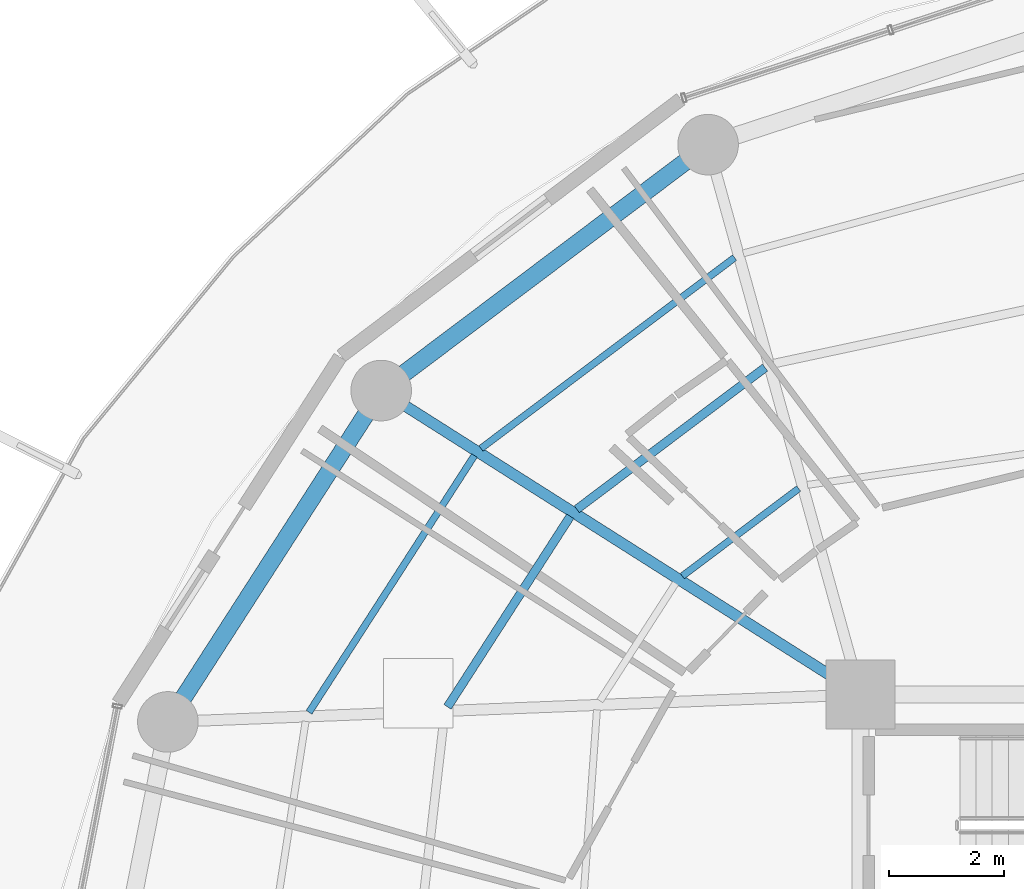
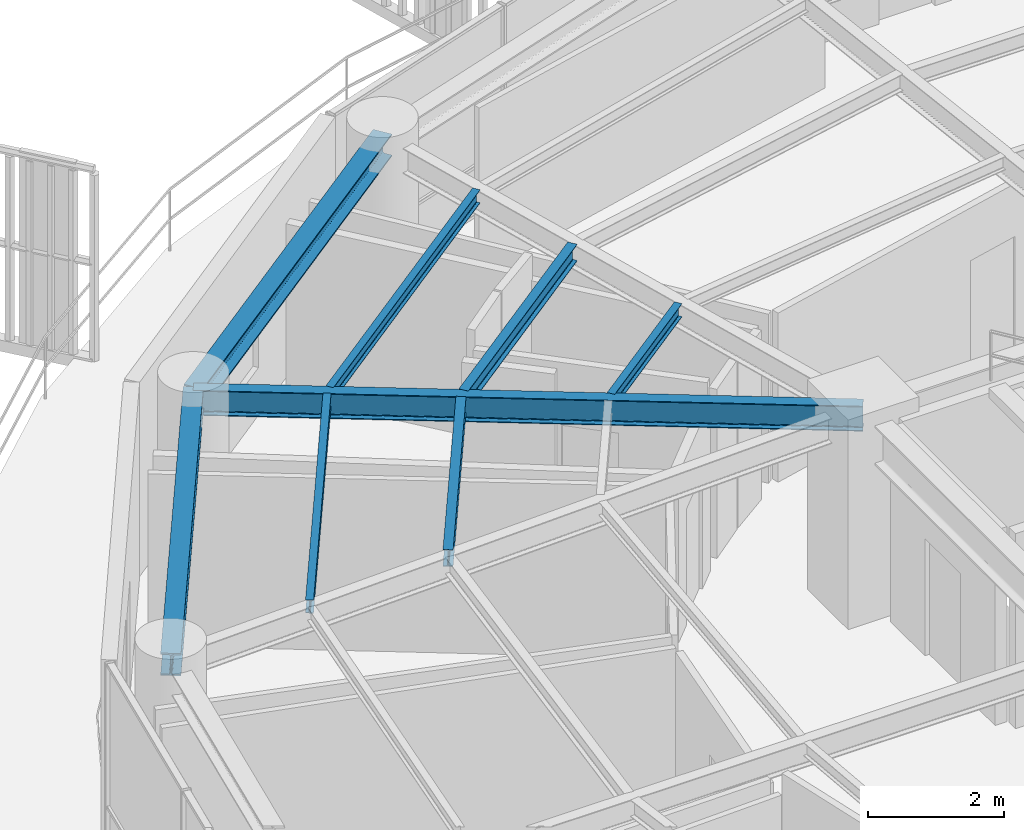
# One storey, part 16 of 30: 8 beams.
"""IFC4 building model written with IfcOpenShell, lengths in metres."""

from ifc_helpers import new_model, si_unit, direction, frame, origin, origin_2d, place, context, subcontext, project, spatial, i_section, extrude, material, material_profile, profile_set, type_object, element, save


model = new_model("IFC4")

# Units and contexts
model_context = context("Model", 3, precision=1e-05, world=origin(), true_north=direction((0.0, 1.0)))
body_context = subcontext(model_context, "Body", "Model", "MODEL_VIEW")
ifc_project = project(units=[si_unit("LENGTHUNIT", "METRE"), si_unit("AREAUNIT", "SQUARE_METRE"), si_unit("VOLUMEUNIT", "CUBIC_METRE"), si_unit("PLANEANGLEUNIT", "RADIAN"), si_unit("MASSUNIT", "GRAM", prefix="KILO")], contexts=[model_context])

# Site, building, storey
site_placement = place(None, origin())
site = spatial("IfcSite", under=ifc_project, at=site_placement, CompositionType="ELEMENT")
building_placement = place(site_placement, origin())
building = spatial("IfcBuilding", under=site, at=building_placement, Name="Kelanora Arch Commons", CompositionType="ELEMENT")
storey_placement = place(building_placement, frame((0.0, 0.0, 208.199951171875)))
storey = spatial("IfcBuildingStorey", under=building, at=storey_placement, Name="L53", CompositionType="ELEMENT", Elevation=208.199951171875)

# Beams
ifc_material = material(Name="Steel S355", Category="steel")
ifc_material_profile_1 = material_profile(ifc_material, i_section(OverallWidth=0.14990234375, OverallDepth=0.300048828125, WebThickness=0.007080078125, FlangeThickness=0.0107421875, FilletRadius=0.014892578125, at=origin_2d()), Name="IPE300")
ifc_profile_set_1 = profile_set([ifc_material_profile_1], Name="Steel S355")
beam_type_1 = type_object("IfcBeamType", Name="BM-JST-01", PredefinedType="JOIST", material=ifc_profile_set_1)
beam_1_placement = place(storey_placement, frame((64.34814453125, 70.6630859375, 3.340087890625), z_axis=(-0.799101708656, -0.601195857624, 0.0), x_axis=(0.601195857624, -0.799101708656, 0.0)))
element("IfcBeam", 1, at=beam_1_placement, inside=storey, type_object=beam_type_1, Name="Secondary Chord Joist BJB-12 L53", PredefinedType="JOIST", context=body_context, shape_type="SweptSolid", body=[
    extrude(i_section(OverallWidth=0.14990234375, OverallDepth=0.300048828125, WebThickness=0.007080078125, FlangeThickness=0.0107421875, FilletRadius=0.014892578125, at=origin_2d()), origin(), (0.0, 0.0, 1.0), 4.080810546875),
])
beam_2_placement = place(storey_placement, frame((60.97314453125, 68.087158203125, 3.340087890625), z_axis=(-0.541411265892, -0.840757896879, 0.0), x_axis=(0.840757896879, -0.541411265892, 0.0)))
element("IfcBeam", 2, at=beam_2_placement, inside=storey, type_object=beam_type_1, Name="Secondary Chord Joist BJB-14 L53", PredefinedType="JOIST", context=body_context, shape_type="SweptSolid", body=[
    extrude(i_section(OverallWidth=0.14990234375, OverallDepth=0.300048828125, WebThickness=0.007080078125, FlangeThickness=0.0107421875, FilletRadius=0.014892578125, at=origin_2d()), origin(), (0.0, 0.0, 1.0), 3.92529296875),
])
ifc_material_profile_2 = material_profile(ifc_material, i_section(OverallWidth=0.1201171875, OverallDepth=0.239990234375, WebThickness=0.006103515625, FlangeThickness=0.009765625, FilletRadius=0.014892578125, at=origin_2d()), Name="IPE240")
ifc_profile_set_2 = profile_set([ifc_material_profile_2], Name="Steel S355")
beam_type_2 = type_object("IfcBeamType", Name="BM-JST-02", PredefinedType="JOIST", material=ifc_profile_set_2)
beam_3_placement = place(storey_placement, frame((64.928955078125, 68.56787109375, 3.3701171875), z_axis=(-0.79911638933, -0.601176343766, 0.0), x_axis=(0.601176343766, -0.79911638933, 0.0)))
element("IfcBeam", 3, at=beam_3_placement, inside=storey, type_object=beam_type_2, Name="Secondary Chord Joist BJA-12 L53", PredefinedType="JOIST", context=body_context, shape_type="SweptSolid", body=[
    extrude(i_section(OverallWidth=0.1201171875, OverallDepth=0.239990234375, WebThickness=0.006103515625, FlangeThickness=0.009765625, FilletRadius=0.014892578125, at=origin_2d()), origin(), (0.0, 0.0, 1.0), 2.522216796875),
])
beam_4_placement = place(storey_placement, frame((63.820068359375, 72.56787109375, 3.3701171875), z_axis=(-0.799109197935, -0.601185902842, 0.0), x_axis=(0.601185902842, -0.799109197935, 0.0)))
element("IfcBeam", 4, at=beam_4_placement, inside=storey, type_object=beam_type_2, Name="Secondary Chord Joist BJC-12 L53", PredefinedType="JOIST", context=body_context, shape_type="SweptSolid", body=[
    extrude(i_section(OverallWidth=0.1201171875, OverallDepth=0.239990234375, WebThickness=0.006103515625, FlangeThickness=0.009765625, FilletRadius=0.014892578125, at=origin_2d()), origin(), (0.0, 0.0, 1.0), 5.497802734375),
])
beam_5_placement = place(storey_placement, frame((59.31298828125, 69.14013671875, 3.3701171875), z_axis=(-0.541382492679, -0.840776424872, 0.0), x_axis=(0.840776424872, -0.541382492679, 0.0)))
element("IfcBeam", 5, at=beam_5_placement, inside=storey, type_object=beam_type_2, Name="Secondary Chord Joist BJC-14 L53", PredefinedType="JOIST", context=body_context, shape_type="SweptSolid", body=[
    extrude(i_section(OverallWidth=0.1201171875, OverallDepth=0.239990234375, WebThickness=0.006103515625, FlangeThickness=0.009765625, FilletRadius=0.014892578125, at=origin_2d()), origin(), (0.0, 0.0, 1.0), 5.29052734375),
])
ifc_material_profile_3 = material_profile(ifc_material, i_section(OverallWidth=0.18994140625, OverallDepth=0.449951171875, WebThickness=0.009521484375, FlangeThickness=0.0146484375, FilletRadius=0.02099609375, at=origin_2d()), Name="IPE450")
ifc_profile_set_3 = profile_set([ifc_material_profile_3], Name="Steel S355")
beam_type_3 = type_object("IfcBeamType", Name="BM-RAD-Z4", PredefinedType="BEAM", material=ifc_profile_set_3)
beam_6_placement = place(storey_placement, frame((66.0, 65.0, 3.26513671875), z_axis=(-0.844507208607, 0.535544185489, 0.0), x_axis=(-0.535544185489, -0.844507208607, 0.0)))
element("IfcBeam", 6, at=beam_6_placement, inside=storey, type_object=beam_type_3, Name="Radial Floor Girder BR-14 L53", PredefinedType="BEAM", context=body_context, shape_type="SweptSolid", body=[
    extrude(i_section(OverallWidth=0.18994140625, OverallDepth=0.449951171875, WebThickness=0.009521484375, FlangeThickness=0.0146484375, FilletRadius=0.02099609375, at=origin_2d()), origin(), (0.0, 0.0, 1.0), 9.830078125),
])
ifc_material_profile_4 = material_profile(ifc_material, i_section(OverallWidth=0.300048828125, OverallDepth=0.39990234375, WebThickness=0.013427734375, FlangeThickness=0.02392578125, FilletRadius=0.027099609375, at=origin_2d()), Name="HEB400")
ifc_profile_set_4 = profile_set([ifc_material_profile_4], Name="Steel S355")
beam_type_4 = type_object("IfcBeamType", Name="BM-SPN-Z4", PredefinedType="SPANDREL", material=ifc_profile_set_4)
beam_7_placement = place(storey_placement, frame((63.360107421875, 74.523681640625, 3.2900390625), z_axis=(-0.799114211715, -0.60117923836, 0.0), x_axis=(0.60117923836, -0.799114211715, 0.0)))
element("IfcBeam", 7, at=beam_7_placement, inside=storey, type_object=beam_type_4, Name="Perimeter Spandrel Beam BS-12 L53", PredefinedType="SPANDREL", context=body_context, shape_type="SweptSolid", body=[
    extrude(i_section(OverallWidth=0.300048828125, OverallDepth=0.39990234375, WebThickness=0.013427734375, FlangeThickness=0.02392578125, FilletRadius=0.027099609375, at=origin_2d()), origin(), (0.0, 0.0, 1.0), 7.0849609375),
])
beam_8_placement = place(storey_placement, frame((57.698486328125, 70.264404296875, 3.2900390625), z_axis=(-0.541364878868, -0.840787766281, 0.0), x_axis=(0.840787766281, -0.541364878868, 0.0)))
element("IfcBeam", 8, at=beam_8_placement, inside=storey, type_object=beam_type_4, Name="Perimeter Spandrel Beam BS-14 L53", PredefinedType="SPANDREL", context=body_context, shape_type="SweptSolid", body=[
    extrude(i_section(OverallWidth=0.300048828125, OverallDepth=0.39990234375, WebThickness=0.013427734375, FlangeThickness=0.02392578125, FilletRadius=0.027099609375, at=origin_2d()), origin(), (0.0, 0.0, 1.0), 6.825439453125),
])

save(model, "model.ifc")
